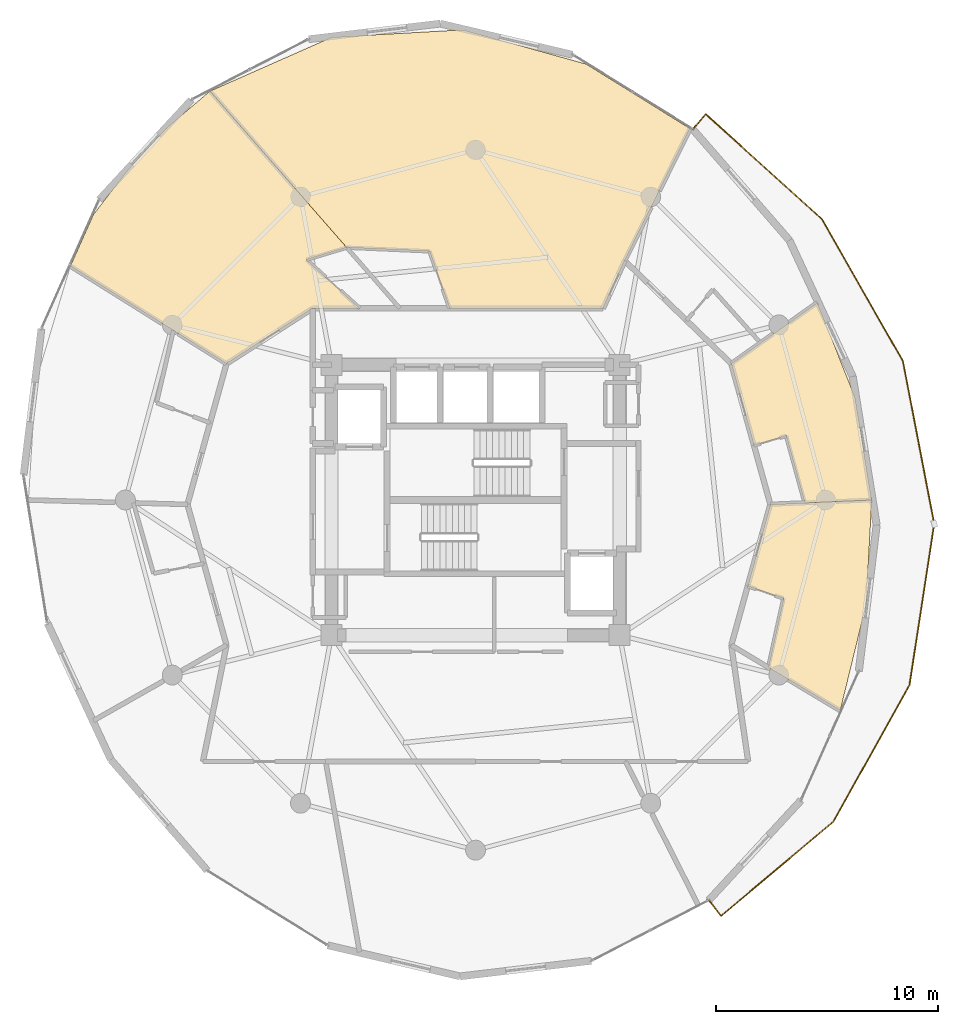
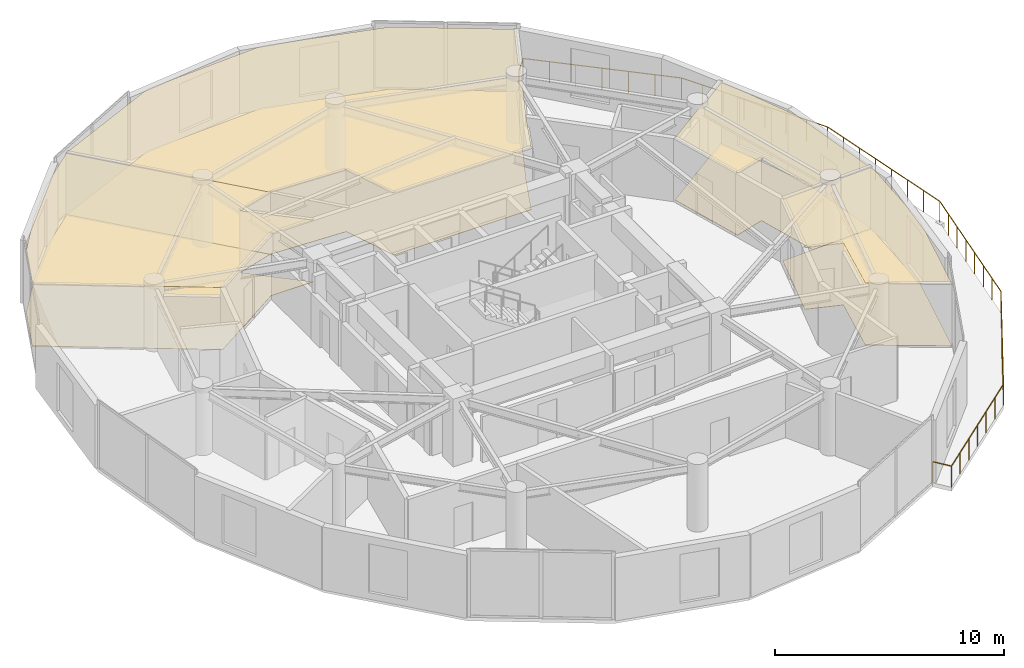
# One storey, part 22 of 22: 8 coverings, 1 railing.
"""IFC4 building model written with IfcOpenShell, lengths in metres."""

from ifc_helpers import new_model, si_unit, direction, frame, origin, origin_2d, place, context, subcontext, project, spatial, polyline, circle, outline, extrude, material, layer, layer_set, type_object, element, save


model = new_model("IFC4")

# Units and contexts
model_context = context("Model", 3, precision=1e-05, world=origin(), true_north=direction((0.0, 1.0)))
body_context = subcontext(model_context, "Body", "Model", "MODEL_VIEW")
ifc_project = project(units=[si_unit("LENGTHUNIT", "METRE"), si_unit("AREAUNIT", "SQUARE_METRE"), si_unit("VOLUMEUNIT", "CUBIC_METRE"), si_unit("PLANEANGLEUNIT", "RADIAN"), si_unit("MASSUNIT", "GRAM", prefix="KILO")], contexts=[model_context])

# Site, building, storey
site_placement = place(None, origin())
site = spatial("IfcSite", under=ifc_project, at=site_placement, CompositionType="ELEMENT")
building_placement = place(site_placement, origin())
building = spatial("IfcBuilding", under=site, at=building_placement, Name="Solvirekh Grand Hotel", CompositionType="ELEMENT")
storey_placement = place(building_placement, frame((0.0, 0.0, 227.199951171875)))
storey = spatial("IfcBuildingStorey", under=building, at=storey_placement, Name="L59", CompositionType="ELEMENT", Elevation=227.199951171875)

# Coverings
ifc_material_1 = material(Name="Acoustic Mineral Ceiling Tile")
ifc_layer_1 = layer(ifc_material_1, 0.02490234375)
ifc_layer_set_1 = layer_set([ifc_layer_1], Name="Acoustic Mineral Ceiling Tile")
covering_type_1 = type_object("IfcCoveringType", Name="Cov_Ceiling_Acoustic", PredefinedType="CEILING", material=ifc_layer_set_1)
covering_1_placement = place(storey_placement, frame((0.0, 0.0, 3.31005859375)))
element("IfcCovering", 1, at=covering_1_placement, inside=storey, type_object=covering_type_1, Name="L59 Panorama Suite 6101 acoustic ceiling", PredefinedType="CEILING", context=body_context, shape_type="SweptSolid", body=[
    extrude(outline(polyline([(-5.81689453125, 11.39306640625), (-2.074951171875, 11.22802734375), (-1.169921875, 8.64990234375), (5.75, 8.64990234375), (6.72509765625, 10.799072265625), (9.675048828125, 16.758056640625), (4.993896484375, 19.6650390625), (-0.554931640625, 21.212890625), (-6.48291015625, 20.87890625), (-11.98095703125, 18.447998046875), (-5.81689453125, 11.39306640625)])), origin(), (0.0, 0.0, 1.0), 0.01806640625),
])
covering_2_placement = place(storey_placement, frame((0.0, 0.0, 3.31005859375)))
element("IfcCovering", 2, at=covering_2_placement, inside=storey, type_object=covering_type_1, Name="L59 Deluxe Guestroom 6102 acoustic ceiling", PredefinedType="CEILING", context=body_context, shape_type="SweptSolid", body=[
    extrude(outline(polyline([(-5.22802734375, 8.64990234375), (-7.635009765625, 10.846923828125), (-5.81689453125, 11.39306640625), (-3.419921875, 8.64990234375), (-11.98095703125, 18.447998046875), (-13.952880859375, 16.777099609375), (-15.69189453125, 14.89111328125), (-17.242919921875, 12.8759765625), (-18.281005859375, 10.553955078125), (-11.238037109375, 6.14990234375), (-7.35009765625, 8.64990234375), (-5.22802734375, 8.64990234375)])), origin(), (0.0, 0.0, 1.0), 0.01806640625),
])
covering_3_placement = place(storey_placement, frame((0.0, 0.0, 3.31005859375)))
element("IfcCovering", 3, at=covering_3_placement, inside=storey, type_object=covering_type_1, Name="L59 Deluxe Guestroom 6105 acoustic ceiling", PredefinedType="CEILING", context=body_context, shape_type="SweptSolid", body=[
    extrude(outline(polyline([(13.89990234375, -4.43603515625), (13.208984375, -7.552978515625), (16.452880859375, -9.4990234375), (17.618896484375, -4.720947265625), (17.8740234375, 0.0), (13.300048828125, -0.199951171875), (12.278076171875, -3.883056640625), (13.89990234375, -4.43603515625)])), origin(), (0.0, 0.0, 1.0), 0.01806640625),
])
covering_4_placement = place(storey_placement, frame((0.0, 0.0, 3.31005859375)))
element("IfcCovering", 4, at=covering_4_placement, inside=storey, type_object=covering_type_1, Name="L59 Deluxe Guestroom 6106 acoustic ceiling", PredefinedType="CEILING", context=body_context, shape_type="SweptSolid", body=[
    extrude(outline(polyline([(14.01708984375, 2.89990234375), (14.85498046875, -0.132080078125), (17.8740234375, 0.0), (17.133056640625, 4.591064453125), (15.422119140625, 8.904052734375), (11.5380859375, 6.14990234375), (12.56005859375, 2.467041015625), (14.01708984375, 2.89990234375)])), origin(), (0.0, 0.0, 1.0), 0.01806640625),
])
ifc_material_2 = material(Name="Porcelain Stoneware Flooring", Category="masonry")
ifc_layer_2 = layer(ifc_material_2, 0.030029296875)
ifc_layer_set_2 = layer_set([ifc_layer_2], Name="Porcelain Stoneware Flooring")
covering_type_2 = type_object("IfcCoveringType", Name="Cov_Floor_Stone", PredefinedType="FLOORING", material=ifc_layer_set_2)
covering_5_placement = place(storey_placement, origin())
element("IfcCovering", 5, at=covering_5_placement, inside=storey, type_object=covering_type_2, Name="L59 Panorama Suite 6101 polished granite flooring", PredefinedType="FLOORING", context=body_context, shape_type="SweptSolid", body=[
    extrude(outline(polyline([(-5.81689453125, 11.39306640625), (-2.074951171875, 11.22802734375), (-1.169921875, 8.64990234375), (5.75, 8.64990234375), (6.72509765625, 10.799072265625), (9.675048828125, 16.758056640625), (4.993896484375, 19.6650390625), (-0.554931640625, 21.212890625), (-6.48291015625, 20.87890625), (-11.98095703125, 18.447998046875), (-5.81689453125, 11.39306640625)])), origin(), (0.0, 0.0, 1.0), 0.02001953125),
])
covering_6_placement = place(storey_placement, origin())
element("IfcCovering", 6, at=covering_6_placement, inside=storey, type_object=covering_type_2, Name="L59 Deluxe Guestroom 6102 polished granite flooring", PredefinedType="FLOORING", context=body_context, shape_type="SweptSolid", body=[
    extrude(outline(polyline([(-5.22802734375, 8.64990234375), (-7.635009765625, 10.846923828125), (-5.81689453125, 11.39306640625), (-3.419921875, 8.64990234375), (-11.98095703125, 18.447998046875), (-13.952880859375, 16.777099609375), (-15.69189453125, 14.89111328125), (-17.242919921875, 12.8759765625), (-18.281005859375, 10.553955078125), (-11.238037109375, 6.14990234375), (-7.35009765625, 8.64990234375), (-5.22802734375, 8.64990234375)])), origin(), (0.0, 0.0, 1.0), 0.02001953125),
])
covering_7_placement = place(storey_placement, origin())
element("IfcCovering", 7, at=covering_7_placement, inside=storey, type_object=covering_type_2, Name="L59 Deluxe Guestroom 6105 polished granite flooring", PredefinedType="FLOORING", context=body_context, shape_type="SweptSolid", body=[
    extrude(outline(polyline([(13.89990234375, -4.43603515625), (13.208984375, -7.552978515625), (16.452880859375, -9.4990234375), (17.618896484375, -4.720947265625), (17.8740234375, 0.0), (13.300048828125, -0.199951171875), (12.278076171875, -3.883056640625), (13.89990234375, -4.43603515625)])), origin(), (0.0, 0.0, 1.0), 0.02001953125),
])
covering_8_placement = place(storey_placement, origin())
element("IfcCovering", 8, at=covering_8_placement, inside=storey, type_object=covering_type_2, Name="L59 Deluxe Guestroom 6106 polished granite flooring", PredefinedType="FLOORING", context=body_context, shape_type="SweptSolid", body=[
    extrude(outline(polyline([(14.01708984375, 2.89990234375), (14.85498046875, -0.132080078125), (17.8740234375, 0.0), (17.133056640625, 4.591064453125), (15.422119140625, 8.904052734375), (11.5380859375, 6.14990234375), (12.56005859375, 2.467041015625), (14.01708984375, 2.89990234375)])), origin(), (0.0, 0.0, 1.0), 0.02001953125),
])

# Railing
ifc_material_3 = material(Name="Anodized Bronze Aluminium 6063-T6", Category="aluminium")
railing_type = type_object("IfcRailingType", Name="Guard_ExtGlass_1150", PredefinedType="BALUSTRADE", material=ifc_material_3)
railing_placement = place(storey_placement, frame((10.52490234375, -18.056884765625, 0.0)))
element("IfcRailing", 9, at=railing_placement, inside=storey, type_object=railing_type, Name="L59 balc perimeter glass balustrade", PredefinedType="BALUSTRADE", context=body_context, shape_type="SweptSolid", body=[
    extrude(circle(Radius=0.02392578125, at=origin_2d()), frame((0.0, 0.0, 1.1259765625), z_axis=(0.60817512943, -0.793802879778, 0.0), x_axis=(0.793802879778, 0.60817512943, 0.0)), (0.0, 0.0, 1.0), 0.899658203125),
    extrude(circle(Radius=0.02392578125, at=origin_2d()), frame((0.547119140625, -0.714111328125, 1.1259765625), z_axis=(0.76591237927, 0.642944964427, 0.0), x_axis=(-0.642944964427, 0.76591237927, 0.0)), (0.0, 0.0, 1.0), 6.627197265625),
    extrude(circle(Radius=0.02392578125, at=origin_2d()), frame((5.623046875, 3.546875, 1.1259765625), z_axis=(0.486530102059, 0.873663813941, 0.0), x_axis=(-0.873663813941, 0.486530102059, 0.0)), (0.0, 0.0, 1.0), 7.05419921875),
    extrude(circle(Radius=0.02392578125, at=origin_2d()), frame((9.05517578125, 9.7099609375, 1.1259765625), z_axis=(0.151725437044, 0.988422678693, 0.0), x_axis=(-0.988422678693, 0.151725437044, 0.0)), (0.0, 0.0, 1.0), 7.355224609375),
    extrude(circle(Radius=0.02392578125, at=origin_2d()), frame((10.171142578125, 16.97998046875, 1.1259765625), z_axis=(-0.188924927793, 0.981991533395, 0.0), x_axis=(-0.981991533395, -0.188924927793, 0.0)), (0.0, 0.0, 1.0), 7.474365234375),
    extrude(circle(Radius=0.02392578125, at=origin_2d()), frame((8.759033203125, 24.31982421875, 1.1259765625), z_axis=(-0.495586565911, 0.868558550524, 0.0), x_axis=(-0.868558550524, -0.495586565911, 0.0)), (0.0, 0.0, 1.0), 7.379150390625),
    extrude(circle(Radius=0.02392578125, at=origin_2d()), frame((5.10205078125, 30.72900390625, 1.1259765625), z_axis=(-0.741813189012, 0.670606585568, 0.0), x_axis=(-0.670606585568, -0.741813189012, 0.0)), (0.0, 0.0, 1.0), 7.06640625),
    extrude(circle(Radius=0.02392578125, at=origin_2d()), frame((-0.139892578125, 35.4677734375, 1.1259765625), z_axis=(-0.650567738527, -0.759448232329, 0.0), x_axis=(0.759448232329, -0.650567738527, 0.0)), (0.0, 0.0, 1.0), 0.899169921875),
    extrude(circle(Radius=0.02099609375, at=origin_2d()), origin(), (0.0, 0.0, 1.0), 1.101806640625),
    extrude(circle(Radius=0.02099609375, at=origin_2d()), frame((0.547119140625, -0.714111328125, 0.0)), (0.0, 0.0, 1.0), 1.101806640625),
    extrude(circle(Radius=0.02099609375, at=origin_2d()), frame((1.39306640625, -0.00390625, 0.0)), (0.0, 0.0, 1.0), 1.101806640625),
    extrude(circle(Radius=0.02099609375, at=origin_2d()), frame((2.239013671875, 0.706298828125, 0.0)), (0.0, 0.0, 1.0), 1.101806640625),
    extrude(circle(Radius=0.02099609375, at=origin_2d()), frame((3.0849609375, 1.41650390625, 0.0)), (0.0, 0.0, 1.0), 1.101806640625),
    extrude(circle(Radius=0.02099609375, at=origin_2d()), frame((3.93115234375, 2.12646484375, 0.0)), (0.0, 0.0, 1.0), 1.101806640625),
    extrude(circle(Radius=0.02099609375, at=origin_2d()), frame((4.777099609375, 2.836669921875, 0.0)), (0.0, 0.0, 1.0), 1.101806640625),
    extrude(circle(Radius=0.02099609375, at=origin_2d()), frame((5.623046875, 3.546875, 0.0)), (0.0, 0.0, 1.0), 1.101806640625),
    extrude(circle(Radius=0.02099609375, at=origin_2d()), frame((6.195068359375, 4.573974609375, 0.0)), (0.0, 0.0, 1.0), 1.101806640625),
    extrude(circle(Radius=0.02099609375, at=origin_2d()), frame((6.76708984375, 5.601318359375, 0.0)), (0.0, 0.0, 1.0), 1.101806640625),
    extrude(circle(Radius=0.02099609375, at=origin_2d()), frame((7.339111328125, 6.62841796875, 0.0)), (0.0, 0.0, 1.0), 1.101806640625),
    extrude(circle(Radius=0.02099609375, at=origin_2d()), frame((7.9111328125, 7.655517578125, 0.0)), (0.0, 0.0, 1.0), 1.101806640625),
    extrude(circle(Radius=0.02099609375, at=origin_2d()), frame((8.483154296875, 8.682861328125, 0.0)), (0.0, 0.0, 1.0), 1.101806640625),
    extrude(circle(Radius=0.02099609375, at=origin_2d()), frame((9.05517578125, 9.7099609375, 0.0)), (0.0, 0.0, 1.0), 1.101806640625),
    extrude(circle(Radius=0.02099609375, at=origin_2d()), frame((9.214599609375, 10.74853515625, 0.0)), (0.0, 0.0, 1.0), 1.101806640625),
    extrude(circle(Radius=0.02099609375, at=origin_2d()), frame((9.3740234375, 11.787109375, 0.0)), (0.0, 0.0, 1.0), 1.101806640625),
    extrude(circle(Radius=0.02099609375, at=origin_2d()), frame((9.533447265625, 12.82568359375, 0.0)), (0.0, 0.0, 1.0), 1.101806640625),
    extrude(circle(Radius=0.02099609375, at=origin_2d()), frame((9.69287109375, 13.8642578125, 0.0)), (0.0, 0.0, 1.0), 1.101806640625),
    extrude(circle(Radius=0.02099609375, at=origin_2d()), frame((9.852294921875, 14.90283203125, 0.0)), (0.0, 0.0, 1.0), 1.101806640625),
    extrude(circle(Radius=0.02099609375, at=origin_2d()), frame((10.01171875, 15.94140625, 0.0)), (0.0, 0.0, 1.0), 1.101806640625),
    extrude(circle(Radius=0.02099609375, at=origin_2d()), frame((10.171142578125, 16.97998046875, 0.0)), (0.0, 0.0, 1.0), 1.101806640625),
    extrude(circle(Radius=0.02099609375, at=origin_2d()), frame((9.969482421875, 18.028564453125, 0.0)), (0.0, 0.0, 1.0), 1.101806640625),
    extrude(circle(Radius=0.02099609375, at=origin_2d()), frame((9.767578125, 19.0771484375, 0.0)), (0.0, 0.0, 1.0), 1.101806640625),
    extrude(circle(Radius=0.02099609375, at=origin_2d()), frame((9.56591796875, 20.125732421875, 0.0)), (0.0, 0.0, 1.0), 1.101806640625),
    extrude(circle(Radius=0.02099609375, at=origin_2d()), frame((9.3642578125, 21.174072265625, 0.0)), (0.0, 0.0, 1.0), 1.101806640625),
    extrude(circle(Radius=0.02099609375, at=origin_2d()), frame((9.16259765625, 22.22265625, 0.0)), (0.0, 0.0, 1.0), 1.101806640625),
    extrude(circle(Radius=0.02099609375, at=origin_2d()), frame((8.960693359375, 23.271240234375, 0.0)), (0.0, 0.0, 1.0), 1.101806640625),
    extrude(circle(Radius=0.02099609375, at=origin_2d()), frame((8.759033203125, 24.31982421875, 0.0)), (0.0, 0.0, 1.0), 1.101806640625),
    extrude(circle(Radius=0.02099609375, at=origin_2d()), frame((8.236572265625, 25.2353515625, 0.0)), (0.0, 0.0, 1.0), 1.101806640625),
    extrude(circle(Radius=0.02099609375, at=origin_2d()), frame((7.714111328125, 26.151123046875, 0.0)), (0.0, 0.0, 1.0), 1.101806640625),
    extrude(circle(Radius=0.02099609375, at=origin_2d()), frame((7.191650390625, 27.066650390625, 0.0)), (0.0, 0.0, 1.0), 1.101806640625),
    extrude(circle(Radius=0.02099609375, at=origin_2d()), frame((6.66943359375, 27.982177734375, 0.0)), (0.0, 0.0, 1.0), 1.101806640625),
    extrude(circle(Radius=0.02099609375, at=origin_2d()), frame((6.14697265625, 28.897705078125, 0.0)), (0.0, 0.0, 1.0), 1.101806640625),
    extrude(circle(Radius=0.02099609375, at=origin_2d()), frame((5.62451171875, 29.8134765625, 0.0)), (0.0, 0.0, 1.0), 1.101806640625),
    extrude(circle(Radius=0.02099609375, at=origin_2d()), frame((5.10205078125, 30.72900390625, 0.0)), (0.0, 0.0, 1.0), 1.101806640625),
    extrude(circle(Radius=0.02099609375, at=origin_2d()), frame((4.228515625, 31.518798828125, 0.0)), (0.0, 0.0, 1.0), 1.101806640625),
    extrude(circle(Radius=0.02099609375, at=origin_2d()), frame((3.354736328125, 32.30859375, 0.0)), (0.0, 0.0, 1.0), 1.101806640625),
    extrude(circle(Radius=0.02099609375, at=origin_2d()), frame((2.48095703125, 33.098388671875, 0.0)), (0.0, 0.0, 1.0), 1.101806640625),
    extrude(circle(Radius=0.02099609375, at=origin_2d()), frame((1.607421875, 33.88818359375, 0.0)), (0.0, 0.0, 1.0), 1.101806640625),
    extrude(circle(Radius=0.02099609375, at=origin_2d()), frame((0.73388671875, 34.677978515625, 0.0)), (0.0, 0.0, 1.0), 1.101806640625),
    extrude(circle(Radius=0.02099609375, at=origin_2d()), frame((-0.139892578125, 35.4677734375, 0.0)), (0.0, 0.0, 1.0), 1.101806640625),
    extrude(circle(Radius=0.02099609375, at=origin_2d()), frame((-0.724853515625, 34.784912109375, 0.0)), (0.0, 0.0, 1.0), 1.101806640625),
])

save(model, "model.ifc")
